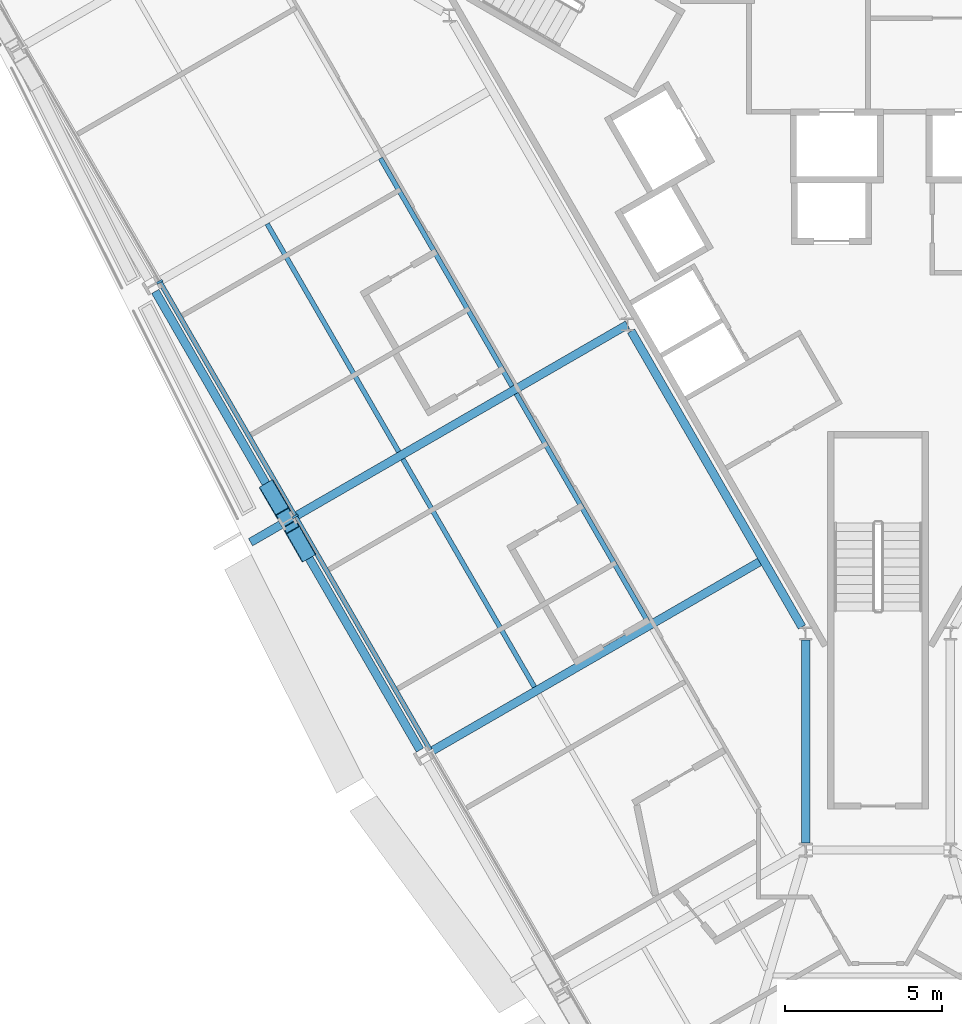
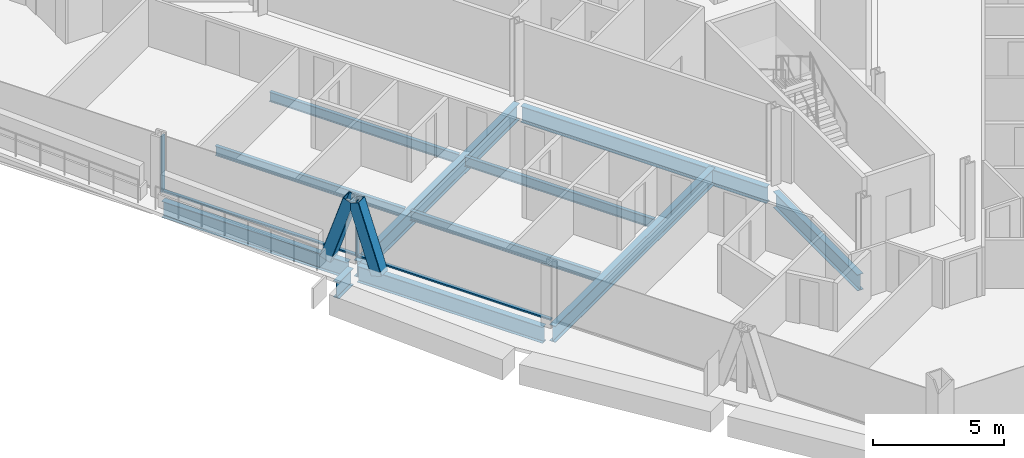
# One storey, part 4 of 18: 11 beams, 6 members, 1 element without a shape of its own.
"""IFC4 building model written with IfcOpenShell, lengths in metres."""

from ifc_helpers import new_model, si_unit, direction, frame, origin, origin_2d, place, context, subcontext, project, spatial, rectangle, hollow_rectangle, i_section, extrude, material, material_profile, profile_set, type_object, element, aggregate, save


model = new_model("IFC4")

# Units and contexts
model_context = context("Model", 3, precision=1e-05, world=origin(), true_north=direction((0.0, 1.0)))
body_context = subcontext(model_context, "Body", "Model", "MODEL_VIEW")
ifc_project = project(units=[si_unit("LENGTHUNIT", "METRE"), si_unit("AREAUNIT", "SQUARE_METRE"), si_unit("VOLUMEUNIT", "CUBIC_METRE"), si_unit("PLANEANGLEUNIT", "RADIAN"), si_unit("MASSUNIT", "GRAM", prefix="KILO")], contexts=[model_context])

# Site, building, storey
site_placement = place(None, origin())
site = spatial("IfcSite", under=ifc_project, at=site_placement, CompositionType="ELEMENT")
building_placement = place(site_placement, origin())
building = spatial("IfcBuilding", under=site, at=building_placement, Name="Verrane Prism Tower", CompositionType="ELEMENT")
storey_placement = place(building_placement, frame((0.0, 0.0, 83.60009765625)))
storey = spatial("IfcBuildingStorey", under=building, at=storey_placement, Name="L19", CompositionType="ELEMENT", Elevation=83.60009765625)

# Beams
ifc_material_1 = material(Name="Steel A992", Category="steel")
ifc_material_profile_1 = material_profile(ifc_material_1, i_section(OverallWidth=0.2666015625, OverallDepth=0.7568359375, WebThickness=0.013916015625, FlangeThickness=0.019287109375, FilletRadius=0.0166015625, at=origin_2d()), Name="W30x108")
ifc_profile_set_1 = profile_set([ifc_material_profile_1], Name="Steel A992")
beam_type_1 = type_object("IfcBeamType", Name="Core ring girder W30x108", PredefinedType="BEAM", material=ifc_profile_set_1)
beam_1_placement = place(storey_placement, frame((-7.849609375, -4.808349609375, -0.628662109375), z_axis=(0.500013103396, -0.866017838403, 0.0), x_axis=(0.866017838403, 0.500013103396, 0.0)))
element("IfcBeam", 1, at=beam_1_placement, inside=storey, type_object=beam_type_1, Name="Core ring girder L19", PredefinedType="BEAM", context=body_context, shape_type="SweptSolid", body=[
    extrude(i_section(OverallWidth=0.2666015625, OverallDepth=0.7568359375, WebThickness=0.013916015625, FlangeThickness=0.019287109375, FilletRadius=0.0166015625, at=origin_2d()), origin(), (0.0, 0.0, 1.0), 10.858154296875),
])
beam_2_placement = place(storey_placement, frame((-2.300048828125, -14.62841796875, -0.628662109375), z_axis=(0.0, -1.0, 0.0), x_axis=(1.0, 0.0, 0.0)))
element("IfcBeam", 2, at=beam_2_placement, inside=storey, type_object=beam_type_1, Name="Core ring girder L19", PredefinedType="BEAM", context=body_context, shape_type="SweptSolid", body=[
    extrude(i_section(OverallWidth=0.2666015625, OverallDepth=0.7568359375, WebThickness=0.013916015625, FlangeThickness=0.019287109375, FilletRadius=0.0166015625, at=origin_2d()), origin(), (0.0, 0.0, 1.0), 6.4443359375),
])

# Members
ifc_material_2 = material(Name="Steel A1085 Grade A", Category="steel")
ifc_material_profile_2 = material_profile(ifc_material_2, hollow_rectangle(XDim=0.508056640625, YDim=0.508056640625, WallThickness=0.025390625, InnerFilletRadius=0.0126953125, OuterFilletRadius=0.0380859375, at=origin_2d()), Name="HSS20x20x1")
ifc_profile_set_2 = profile_set([ifc_material_profile_2], Name="Steel A1085 Grade A")
member_type_1 = type_object("IfcMemberType", Name="Facade brace HSS20x20x1", PredefinedType="BRACE", material=ifc_profile_set_2)
member_1_placement = place(storey_placement, frame((-19.33642578125, -9.85693359375, -0.24267578125), z_axis=(0.159091894555, -0.27310649388, 0.948737377828), x_axis=(0.86408200452, 0.503351059863, 0.0)))
element("IfcMember", 3, at=member_1_placement, inside=storey, type_object=member_type_1, Name="Facade brace SW2 L19", PredefinedType="BRACE", context=body_context, shape_type="SweptSolid", body=[
    extrude(hollow_rectangle(XDim=0.508056640625, YDim=0.508056640625, WallThickness=0.025390625, InnerFilletRadius=0.0126953125, OuterFilletRadius=0.0380859375, at=origin_2d()), origin(), (0.0, 0.0, 1.0), 3.2333984375),
])
member_2_placement = place(storey_placement, frame((-18.202392578125, -11.8212890625, -0.24267578125), z_axis=(-0.157518317595, 0.275336282984, 0.948355371627), x_axis=(-0.86799411416, -0.496574483622, 0.0)))
element("IfcMember", 4, at=member_2_placement, inside=storey, type_object=member_type_1, Name="Facade brace SW3 L19", PredefinedType="BRACE", context=body_context, shape_type="SweptSolid", body=[
    extrude(hollow_rectangle(XDim=0.508056640625, YDim=0.508056640625, WallThickness=0.025390625, InnerFilletRadius=0.0126953125, OuterFilletRadius=0.0380859375, at=origin_2d()), origin(), (0.0, 0.0, 1.0), 3.234619140625),
])

# Beams
ifc_material_3 = material(Name="Steel A992", Category="steel")
ifc_material_profile_3 = material_profile(ifc_material_3, i_section(OverallWidth=0.15234375, OverallDepth=0.449462890625, WebThickness=0.007568359375, FlangeThickness=0.0107421875, FilletRadius=0.01025390625, at=origin_2d()), Name="W18x35")
ifc_profile_set_3 = profile_set([ifc_material_profile_3], Name="Steel A992")
beam_type_2 = type_object("IfcBeamType", Name="Floor beam W18x35", PredefinedType="BEAM", material=ifc_profile_set_3)
beam_3_placement = place(storey_placement, frame((-11.632568359375, -6.56201171875, -0.385009765625), z_axis=(-0.499990225416, 0.86603104707, 0.0), x_axis=(-0.86603104707, -0.499990225416, 0.0)))
element("IfcBeam", 5, at=beam_3_placement, inside=storey, type_object=beam_type_2, Name="Floor beam L19", PredefinedType="BEAM", context=body_context, shape_type="SweptSolid", body=[
    extrude(i_section(OverallWidth=0.15234375, OverallDepth=0.449462890625, WebThickness=0.007568359375, FlangeThickness=0.0107421875, FilletRadius=0.01025390625, at=origin_2d()), origin(), (0.0, 0.0, 1.0), 8.365966796875),
])
beam_4_placement = place(storey_placement, frame((-15.234619140625, -8.64306640625, -0.385009765625), z_axis=(-0.500002862074, 0.866023751359, 0.0), x_axis=(-0.866023751359, -0.500002862074, 0.0)))
element("IfcBeam", 6, at=beam_4_placement, inside=storey, type_object=beam_type_2, Name="Floor beam L19", PredefinedType="BEAM", context=body_context, shape_type="SweptSolid", body=[
    extrude(i_section(OverallWidth=0.15234375, OverallDepth=0.449462890625, WebThickness=0.007568359375, FlangeThickness=0.0107421875, FilletRadius=0.01025390625, at=origin_2d()), origin(), (0.0, 0.0, 1.0), 8.36572265625),
])
beam_5_placement = place(storey_placement, frame((-7.318603515625, -14.0419921875, -0.385009765625), z_axis=(-0.499989320658, 0.866031569417, 0.0), x_axis=(-0.866031569417, -0.499989320658, 0.0)))
element("IfcBeam", 7, at=beam_5_placement, inside=storey, type_object=beam_type_2, Name="Floor beam L19", PredefinedType="BEAM", context=body_context, shape_type="SweptSolid", body=[
    extrude(i_section(OverallWidth=0.15234375, OverallDepth=0.449462890625, WebThickness=0.007568359375, FlangeThickness=0.0107421875, FilletRadius=0.01025390625, at=origin_2d()), origin(), (0.0, 0.0, 1.0), 8.367919921875),
])
beam_6_placement = place(storey_placement, frame((-10.92041015625, -16.119873046875, -0.385009765625), z_axis=(-0.499984359078, 0.866034433887, 0.0), x_axis=(-0.866034433887, -0.499984359078, 0.0)))
element("IfcBeam", 8, at=beam_6_placement, inside=storey, type_object=beam_type_2, Name="Floor beam L19", PredefinedType="BEAM", context=body_context, shape_type="SweptSolid", body=[
    extrude(i_section(OverallWidth=0.15234375, OverallDepth=0.449462890625, WebThickness=0.007568359375, FlangeThickness=0.0107421875, FilletRadius=0.01025390625, at=origin_2d()), origin(), (0.0, 0.0, 1.0), 8.364990234375),
])

# Curtain wall, members
ifc_material_4 = material(Name="Aluminium framed insulated glazing", Category="aluminium")
curtain_wall_type = type_object("IfcCurtainWallType", Name="Curtain wall CW-A 8400 module", PredefinedType="NOTDEFINED", material=ifc_material_4)
curtain_wall_placement = place(storey_placement, origin())
curtain_wall = element("IfcCurtainWall", 9, at=curtain_wall_placement, inside=storey, type_object=curtain_wall_type, Name="Glazed curtain wall south-west face L19", PredefinedType="NOTDEFINED")
ifc_material_5 = material(Name="Aluminium alloy 6063-T6", Category="aluminium")
ifc_material_profile_4 = material_profile(ifc_material_5, rectangle(XDim=0.199951171875, YDim=0.070068359375, at=origin_2d()), Name="Mullion 70x200 aluminium")
ifc_profile_set_4 = profile_set([ifc_material_profile_4], Name="Aluminium alloy 6063-T6")
member_type_2 = type_object("IfcMemberType", Name="Mullion 70x200 aluminium", PredefinedType="MULLION", material=ifc_profile_set_4)
member_3_placement = place(storey_placement, frame((-22.828857421875, -3.2412109375, 0.0), z_axis=(0.0, 0.0, 1.0), x_axis=(0.866025845387, 0.499999235121, 0.0)))
member_3 = element("IfcMember", 10, at=member_3_placement, type_object=member_type_2, Name="CW17.4 mullion 3", PredefinedType="MULLION", context=body_context, shape_type="SweptSolid", body=[
    extrude(rectangle(XDim=0.199951171875, YDim=0.070068359375, at=origin_2d()), origin(), (0.0, 0.0, 1.0), 2.61279296875),
])
member_4_placement = place(storey_placement, frame((-18.525146484375, -10.695556640625, 0.0), z_axis=(0.0, 0.0, 1.0), x_axis=(0.866025845387, 0.499999235121, 0.0)))
member_4 = element("IfcMember", 11, at=member_4_placement, type_object=member_type_2, Name="CW17.4 mullion 4", PredefinedType="MULLION", context=body_context, shape_type="SweptSolid", body=[
    extrude(rectangle(XDim=0.199951171875, YDim=0.070068359375, at=origin_2d()), origin(), (0.0, 0.0, 1.0), 2.61279296875),
])

# Beams
ifc_material_6 = material(Name="Steel A992", Category="steel")
ifc_material_profile_5 = material_profile(ifc_material_6, i_section(OverallWidth=0.2666015625, OverallDepth=0.76708984375, WebThickness=0.014892578125, FlangeThickness=0.023681640625, FilletRadius=0.0166015625, at=origin_2d()), Name="W30x124")
ifc_profile_set_5 = profile_set([ifc_material_profile_5], Name="Steel A992")
beam_type_3 = type_object("IfcBeamType", Name="Radial girder W30x124", PredefinedType="BEAM", material=ifc_profile_set_5)
beam_7_placement = place(storey_placement, frame((-18.554443359375, -10.715576171875, -0.603515625), z_axis=(0.86602594319, 0.49999906572, 0.0), x_axis=(-0.49999906572, 0.86602594319, 0.0)))
element("IfcBeam", 12, at=beam_7_placement, inside=storey, type_object=beam_type_3, Name="Radial girder L19", PredefinedType="BEAM", context=body_context, shape_type="SweptSolid", body=[
    extrude(i_section(OverallWidth=0.2666015625, OverallDepth=0.76708984375, WebThickness=0.014892578125, FlangeThickness=0.023681640625, FilletRadius=0.0166015625, at=origin_2d()), origin(), (0.0, 0.0, 1.0), 12.22412109375),
])
beam_8_placement = place(storey_placement, frame((-14.234375, -18.185546875, -0.603515625), z_axis=(0.866019871926, 0.500009581338, 0.0), x_axis=(-0.500009581338, 0.866019871926, 0.0)))
element("IfcBeam", 13, at=beam_8_placement, inside=storey, type_object=beam_type_3, Name="Radial girder L19", PredefinedType="BEAM", context=body_context, shape_type="SweptSolid", body=[
    extrude(i_section(OverallWidth=0.2666015625, OverallDepth=0.76708984375, WebThickness=0.014892578125, FlangeThickness=0.023681640625, FilletRadius=0.0166015625, at=origin_2d()), origin(), (0.0, 0.0, 1.0), 12.218017578125),
])
beam_9_placement = place(storey_placement, frame((-18.982177734375, -10.96240234375, -0.603515625), z_axis=(-0.865977099567, -0.500083656027, 0.0), x_axis=(0.500083656027, -0.865977099567, 0.0)))
element("IfcBeam", 14, at=beam_9_placement, inside=storey, type_object=beam_type_3, Name="Cantilever girder L19", PredefinedType="BEAM", context=body_context, shape_type="SweptSolid", body=[
    extrude(i_section(OverallWidth=0.2666015625, OverallDepth=0.76708984375, WebThickness=0.014892578125, FlangeThickness=0.023681640625, FilletRadius=0.0166015625, at=origin_2d()), origin(), (0.0, 0.0, 1.0), 1.111572265625),
])
ifc_material_7 = material(Name="Steel A992", Category="steel")
ifc_material_profile_6 = material_profile(ifc_material_7, i_section(OverallWidth=0.2666015625, OverallDepth=0.7568359375, WebThickness=0.013916015625, FlangeThickness=0.019287109375, FilletRadius=0.0166015625, at=origin_2d()), Name="W30x108")
ifc_profile_set_6 = profile_set([ifc_material_profile_6], Name="Steel A992")
beam_type_4 = type_object("IfcBeamType", Name="Spandrel beam W30x108", PredefinedType="SPANDREL", material=ifc_profile_set_6)
beam_10_placement = place(storey_placement, frame((-22.97216796875, -3.547119140625, -0.53857421875), z_axis=(0.499267942203, -0.866447645209, 0.0), x_axis=(0.866447645209, 0.499267942203, 0.0)))
element("IfcBeam", 15, at=beam_10_placement, inside=storey, type_object=beam_type_4, Name="Spandrel beam L19", PredefinedType="SPANDREL", context=body_context, shape_type="SweptSolid", body=[
    extrude(i_section(OverallWidth=0.2666015625, OverallDepth=0.7568359375, WebThickness=0.013916015625, FlangeThickness=0.019287109375, FilletRadius=0.0166015625, at=origin_2d()), origin(), (0.0, 0.0, 1.0), 8.200927734375),
])
beam_11_placement = place(storey_placement, frame((-18.661865234375, -11.02685546875, -0.53857421875), z_axis=(0.500619438317, -0.865667475408, 0.0), x_axis=(0.865667475408, 0.500619438317, 0.0)))
element("IfcBeam", 16, at=beam_11_placement, inside=storey, type_object=beam_type_4, Name="Spandrel beam L19", PredefinedType="SPANDREL", context=body_context, shape_type="SweptSolid", body=[
    extrude(i_section(OverallWidth=0.2666015625, OverallDepth=0.7568359375, WebThickness=0.013916015625, FlangeThickness=0.019287109375, FilletRadius=0.0166015625, at=origin_2d()), origin(), (0.0, 0.0, 1.0), 8.197265625),
])

# Member
ifc_material_8 = material(Name="Aluminium alloy 6063-T6", Category="aluminium")
ifc_material_profile_7 = material_profile(ifc_material_8, rectangle(XDim=0.14990234375, YDim=0.070068359375, at=origin_2d()), Name="Transom 70x150 aluminium")
ifc_profile_set_7 = profile_set([ifc_material_profile_7], Name="Aluminium alloy 6063-T6")
member_type_3 = type_object("IfcMemberType", Name="Transom 70x150 aluminium", PredefinedType="USERDEFINED", material=ifc_profile_set_7)
member_5_placement = place(storey_placement, frame((-22.811279296875, -3.271484375, 0.034912109375), z_axis=(0.499998865407, -0.866026058841, 0.0), x_axis=(0.866026058841, 0.499998865407, 0.0)))
member_5 = element("IfcMember", 17, at=member_5_placement, type_object=member_type_3, Name="CW17.4 transom 3", ObjectType="TRANSOM", PredefinedType="USERDEFINED", context=body_context, shape_type="SweptSolid", body=[
    extrude(rectangle(XDim=0.14990234375, YDim=0.070068359375, at=origin_2d()), origin(), (0.0, 0.0, 1.0), 8.53759765625),
])

member_6_placement = place(storey_placement, frame((-18.507568359375, -10.725830078125, 0.034912109375), z_axis=(0.50001124802, -0.866018909639, 0.0), x_axis=(0.866018909639, 0.50001124802, 0.0)))
member_6 = element("IfcMember", 18, at=member_6_placement, type_object=member_type_3, Name="CW17.4 transom 4", ObjectType="TRANSOM", PredefinedType="USERDEFINED", context=body_context, shape_type="SweptSolid", body=[
    extrude(rectangle(XDim=0.14990234375, YDim=0.070068359375, at=origin_2d()), origin(), (0.0, 0.0, 1.0), 8.537353515625),
])

aggregate(curtain_wall, [member_3, member_4, member_5, member_6])

save(model, "model.ifc")
